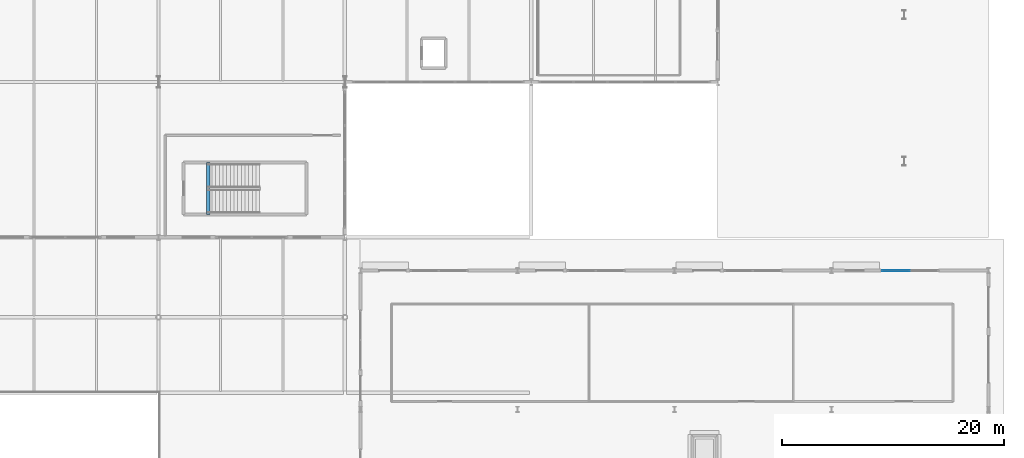
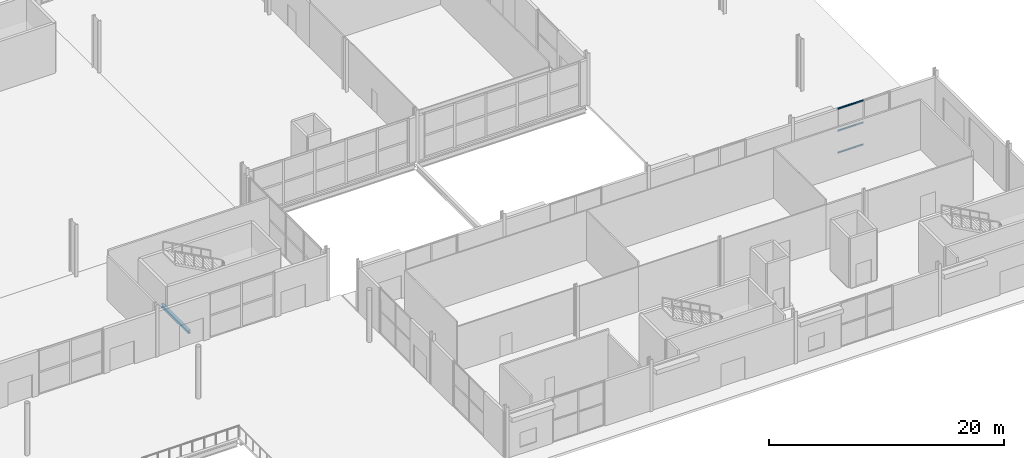
# One storey, part 43 of 87: 3 members, 1 beam, 1 element without a shape of its own.
"""IFC4 building model written with IfcOpenShell, lengths in metres."""

from ifc_helpers import new_model, si_unit, direction, frame, origin, origin_2d, place, context, subcontext, project, spatial, rectangle, i_section, extrude, material, material_profile, profile_set, type_object, element, aggregate, save


model = new_model("IFC4")

# Units and contexts
model_context = context("Model", 3, precision=1e-05, world=origin(), true_north=direction((0.0, 1.0)))
body_context = subcontext(model_context, "Body", "Model", "MODEL_VIEW")
ifc_project = project(units=[si_unit("LENGTHUNIT", "METRE"), si_unit("AREAUNIT", "SQUARE_METRE"), si_unit("VOLUMEUNIT", "CUBIC_METRE"), si_unit("PLANEANGLEUNIT", "RADIAN"), si_unit("MASSUNIT", "GRAM", prefix="KILO")], contexts=[model_context])

# Site, building, storey
site_placement = place(None, origin())
site = spatial("IfcSite", under=ifc_project, at=site_placement, CompositionType="ELEMENT")
building_placement = place(site_placement, origin())
building = spatial("IfcBuilding", under=site, at=building_placement, Name="Kimbaza Rail Terminus", CompositionType="ELEMENT")
storey_placement = place(building_placement, origin())
storey = spatial("IfcBuildingStorey", under=building, at=storey_placement, Name="L00", CompositionType="ELEMENT", Elevation=0.0)

# Curtain wall, members
ifc_material_1 = material(Name="Anodised aluminium framing and solar low-E glazing", Category="aluminium")
curtain_wall_type = type_object("IfcCurtainWallType", Name="ARC-CW-PV1", PredefinedType="USERDEFINED", material=ifc_material_1)
curtain_wall_placement = place(storey_placement, origin())
curtain_wall = element("IfcCurtainWall", 1, at=curtain_wall_placement, inside=storey, type_object=curtain_wall_type, Name="Pavilion N Curtain Wall L00.4", ObjectType="STICK CURTAIN WALL", PredefinedType="USERDEFINED")
ifc_material_2 = material(Name="Anodised architectural aluminium", Category="aluminium")
ifc_material_profile_1 = material_profile(ifc_material_2, rectangle(XDim=0.06494140625, YDim=0.139892578125, at=origin_2d()), Name="TRANSOM 65x140")
ifc_profile_set_1 = profile_set([ifc_material_profile_1], Name="Anodised architectural aluminium")
member_type = type_object("IfcMemberType", Name="ARC-CWT-04", PredefinedType="USERDEFINED", material=ifc_profile_set_1)
member_1_placement = place(storey_placement, frame((204.4150390625, 38.0, 0.032470703125), z_axis=(1.0, 0.0, 0.0), x_axis=(0.0, 1.0, 0.0)))
member_1 = element("IfcMember", 2, at=member_1_placement, type_object=member_type, Name="CW-04 transom 1.1", ObjectType="TRANSOM", PredefinedType="USERDEFINED", context=body_context, shape_type="SweptSolid", body=[
    extrude(rectangle(XDim=0.06494140625, YDim=0.139892578125, at=origin_2d()), origin(), (0.0, 0.0, 1.0), 2.4775390625),
])
member_2_placement = place(storey_placement, frame((204.4150390625, 38.0, 2.3125), z_axis=(1.0, 0.0, 0.0), x_axis=(0.0, 1.0, 0.0)))
member_2 = element("IfcMember", 3, at=member_2_placement, type_object=member_type, Name="CW-04 transom 1.2", ObjectType="TRANSOM", PredefinedType="USERDEFINED", context=body_context, shape_type="SweptSolid", body=[
    extrude(rectangle(XDim=0.06494140625, YDim=0.139892578125, at=origin_2d()), origin(), (0.0, 0.0, 1.0), 2.4775390625),
])
member_3_placement = place(storey_placement, frame((204.4150390625, 38.0, 4.592529296875), z_axis=(1.0, 0.0, 0.0), x_axis=(0.0, 1.0, 0.0)))
member_3 = element("IfcMember", 4, at=member_3_placement, type_object=member_type, Name="CW-04 transom 1.3", ObjectType="TRANSOM", PredefinedType="USERDEFINED", context=body_context, shape_type="SweptSolid", body=[
    extrude(rectangle(XDim=0.06494140625, YDim=0.139892578125, at=origin_2d()), origin(), (0.0, 0.0, 1.0), 2.4775390625),
])
aggregate(curtain_wall, [member_1, member_2, member_3])

# Beam
ifc_material_3 = material(Name="Steel S355", Category="steel")
ifc_material_profile_2 = material_profile(ifc_material_3, i_section(OverallWidth=0.300048828125, OverallDepth=0.2900390625, WebThickness=0.008544921875, FlangeThickness=0.013916015625, FilletRadius=0.027099609375, at=origin_2d()), Name="HEA 300")
ifc_profile_set_2 = profile_set([ifc_material_profile_2], Name="Steel S355")
beam_type = type_object("IfcBeamType", Name="STR-BM-HEA300", PredefinedType="SPANDREL", material=ifc_profile_set_2)
beam_placement = place(storey_placement, frame((143.699951171875, 43.06005859375, -0.39501953125), z_axis=(0.0, 1.0, 0.0), x_axis=(-1.0, 0.0, 0.0)))
element("IfcBeam", 5, at=beam_placement, inside=storey, type_object=beam_type, Name="South Metro Concourse East Stair Landing Trimmer Beam L00", PredefinedType="SPANDREL", context=body_context, shape_type="SweptSolid", body=[
    extrude(i_section(OverallWidth=0.300048828125, OverallDepth=0.2900390625, WebThickness=0.008544921875, FlangeThickness=0.013916015625, FilletRadius=0.027099609375, at=origin_2d()), origin(), (0.0, 0.0, 1.0), 4.679931640625),
])

save(model, "model.ifc")
